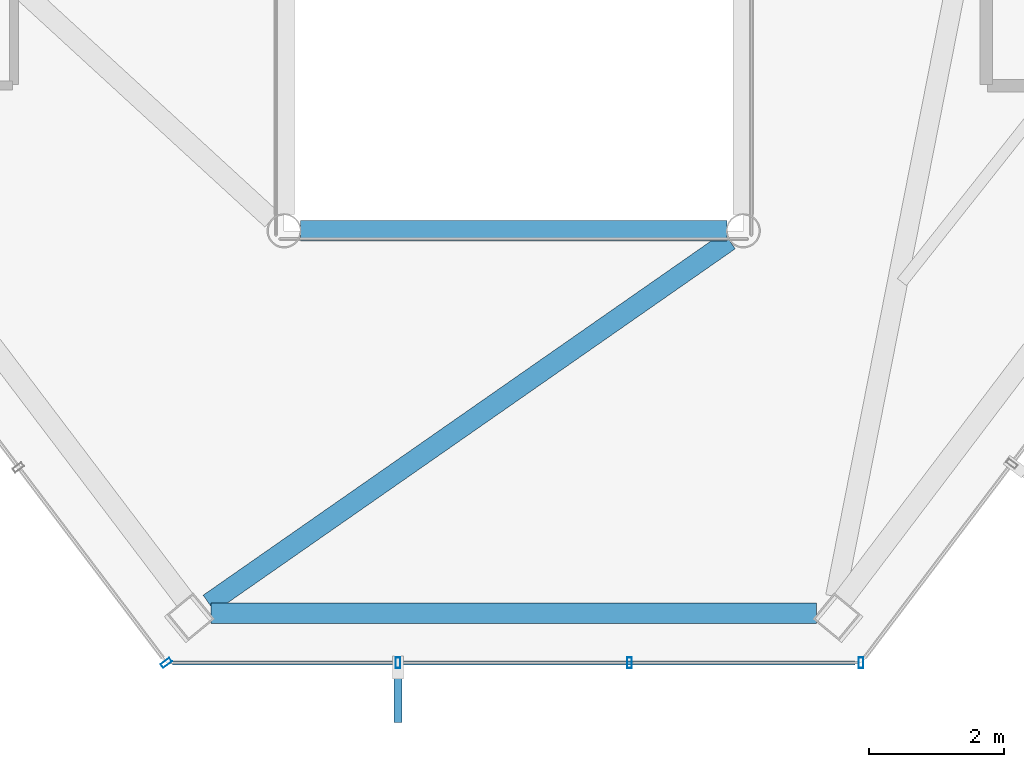
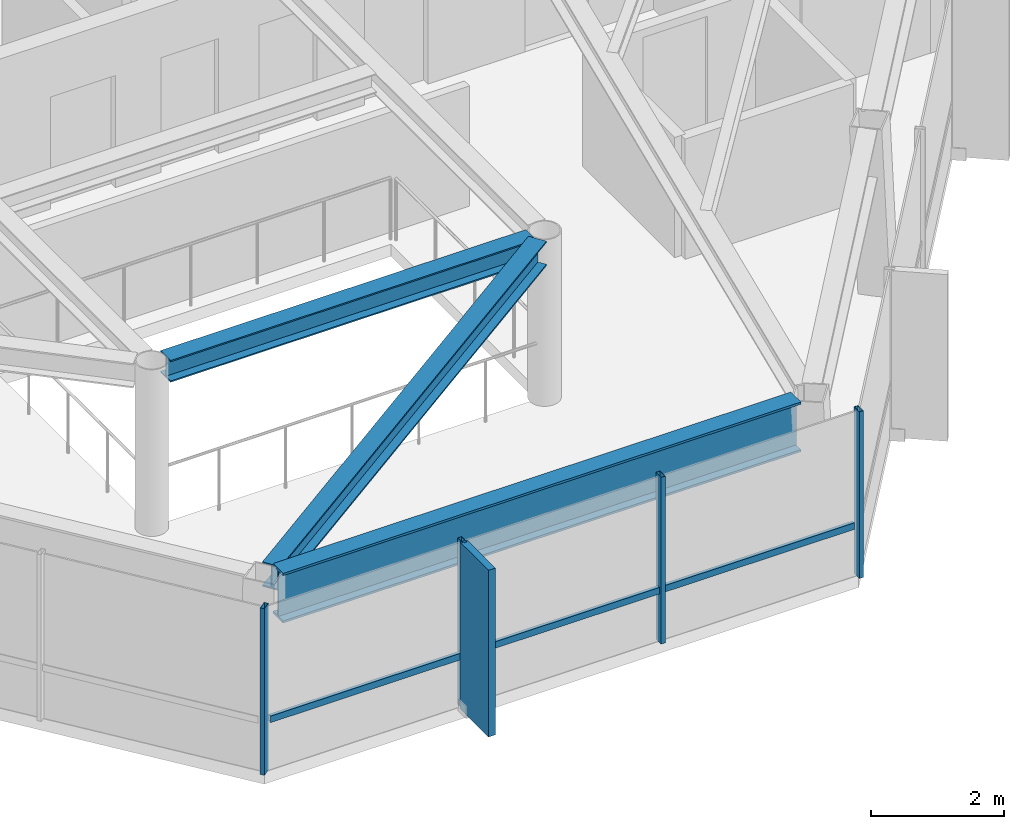
# One storey, part 5 of 24: 6 members, 3 beams, 2 elements without a shape of their own.
"""IFC4 building model written with IfcOpenShell, lengths in metres."""

from ifc_helpers import new_model, si_unit, direction, frame, origin, origin_2d, place, context, subcontext, project, spatial, rectangle, hollow_rectangle, i_section, extrude, material, layer, layer_set, material_profile, profile_set, type_object, element, aggregate, save


model = new_model("IFC4")

# Units and contexts
model_context = context("Model", 3, precision=1e-05, world=origin(), true_north=direction((0.0, 1.0)))
body_context = subcontext(model_context, "Body", "Model", "MODEL_VIEW")
ifc_project = project(units=[si_unit("LENGTHUNIT", "METRE"), si_unit("AREAUNIT", "SQUARE_METRE"), si_unit("VOLUMEUNIT", "CUBIC_METRE"), si_unit("PLANEANGLEUNIT", "RADIAN"), si_unit("MASSUNIT", "GRAM", prefix="KILO")], contexts=[model_context])

# Site, building, storey
site_placement = place(None, origin())
site = spatial("IfcSite", under=ifc_project, at=site_placement, CompositionType="ELEMENT")
building_placement = place(site_placement, origin())
building = spatial("IfcBuilding", under=site, at=building_placement, Name="Zarrinselat Tower", CompositionType="ELEMENT")
storey_placement = place(building_placement, frame((0.0, 0.0, 249.56005859375)))
storey = spatial("IfcBuildingStorey", under=building, at=storey_placement, Name="L63", CompositionType="ELEMENT", Elevation=249.56005859375)

# Beams
ifc_material_1 = material(Name="Steel S355J2", Category="steel")
ifc_material_profile_1 = material_profile(ifc_material_1, i_section(OverallWidth=0.300048828125, OverallDepth=0.39990234375, WebThickness=0.013427734375, FlangeThickness=0.02392578125, at=origin_2d()), Name="HEB 400")
ifc_profile_set_1 = profile_set([ifc_material_profile_1], Name="Steel S355J2")
beam_type_1 = type_object("IfcBeamType", Name="BM-HEB400", PredefinedType="BEAM", material=ifc_profile_set_1)
beam_1_placement = place(storey_placement, frame((35.239990234375, 25.199951171875, 2.849853515625), z_axis=(1.0, 0.0, 0.0), x_axis=(0.0, 1.0, 0.0)))
element("IfcBeam", 1, at=beam_1_placement, inside=storey, type_object=beam_type_1, Name="L63 Atrium Edge Beam S", PredefinedType="BEAM", context=body_context, shape_type="SweptSolid", body=[
    extrude(i_section(OverallWidth=0.300048828125, OverallDepth=0.39990234375, WebThickness=0.013427734375, FlangeThickness=0.02392578125, at=origin_2d()), origin(), (0.0, 0.0, 1.0), 6.320068359375),
])
ifc_material_2 = material(Name="Steel S355J2", Category="steel")
ifc_material_profile_2 = material_profile(ifc_material_2, i_section(OverallWidth=0.300048828125, OverallDepth=0.449951171875, WebThickness=0.013916015625, FlangeThickness=0.02587890625, at=origin_2d()), Name="HEB 450")
ifc_profile_set_2 = profile_set([ifc_material_profile_2], Name="Steel S355J2")
beam_type_2 = type_object("IfcBeamType", Name="BM-HEB450", PredefinedType="BEAM", material=ifc_profile_set_2)
beam_2_placement = place(storey_placement, frame((33.88623046875, 19.680419921875, 2.824951171875), z_axis=(0.820213124396, 0.572058065731, 0.0), x_axis=(-0.572058065731, 0.820213124396, 0.0)))
element("IfcBeam", 2, at=beam_2_placement, inside=storey, type_object=beam_type_2, Name="L63 Radial Primary Girder RG10", PredefinedType="BEAM", context=body_context, shape_type="SweptSolid", body=[
    extrude(i_section(OverallWidth=0.300048828125, OverallDepth=0.449951171875, WebThickness=0.013916015625, FlangeThickness=0.02587890625, at=origin_2d()), origin(), (0.0, 0.0, 1.0), 9.3984375),
])
ifc_material_3 = material(Name="Steel S460M", Category="steel")
ifc_material_profile_3 = material_profile(ifc_material_3, i_section(OverallWidth=0.302001953125, OverallDepth=0.909912109375, WebThickness=0.02099609375, FlangeThickness=0.0400390625, at=origin_2d()), Name="HEM 900")
ifc_profile_set_3 = profile_set([ifc_material_profile_3], Name="Steel S460M")
beam_type_3 = type_object("IfcBeamType", Name="BM-HEM900", PredefinedType="BEAM", material=ifc_profile_set_3)
beam_3_placement = place(storey_placement, frame((33.91748046875, 19.5361328125, 2.594970703125), z_axis=(1.0, 0.0, 0.0), x_axis=(0.0, 1.0, 0.0)))
element("IfcBeam", 3, at=beam_3_placement, inside=storey, type_object=beam_type_3, Name="L63 Perimeter Spandrel Girder SP10", PredefinedType="BEAM", context=body_context, shape_type="SweptSolid", body=[
    extrude(i_section(OverallWidth=0.302001953125, OverallDepth=0.909912109375, WebThickness=0.02099609375, FlangeThickness=0.0400390625, at=origin_2d()), origin(), (0.0, 0.0, 1.0), 8.96484375),
])

# Curtain wall, member
ifc_material_4 = material(Name="Extruded Aluminium Alloy EN AW-6063 T6", Category="aluminium")
ifc_layer = layer(ifc_material_4, 0.169921875)
ifc_layer_set = layer_set([ifc_layer], Name="Extruded Aluminium Alloy EN AW-6063 T6")
curtain_wall_type = type_object("IfcCurtainWallType", Name="CWS-RES", PredefinedType="NOTDEFINED", material=ifc_layer_set)
curtain_wall_1_placement = place(storey_placement, origin())
curtain_wall_1 = element("IfcCurtainWall", 4, at=curtain_wall_1_placement, inside=storey, type_object=curtain_wall_type, Name="L63 Unitised Curtain Wall CW-L63-E03", PredefinedType="NOTDEFINED")
ifc_material_5 = material(Name="Extruded Aluminium Alloy EN AW-6063 T6", Category="aluminium")
ifc_material_profile_4 = material_profile(ifc_material_5, hollow_rectangle(XDim=0.070068359375, YDim=0.159912109375, WallThickness=0.00390625, at=origin_2d()), Name="RHS 160x70x4")
ifc_profile_set_4 = profile_set([ifc_material_profile_4], Name="Extruded Aluminium Alloy EN AW-6063 T6")
member_type_1 = type_object("IfcMemberType", Name="MEM-CW-MUL2", PredefinedType="MULLION", material=ifc_profile_set_4)
member_1_placement = place(storey_placement, frame((33.2548828125, 18.802490234375, 0.0), z_axis=(0.0, 0.0, 1.0), x_axis=(0.603857290282, -0.797092449452, 0.0)))
member_1 = element("IfcMember", 5, at=member_1_placement, type_object=member_type_1, Name="CW-L63-E03 Mullion 9", PredefinedType="MULLION", context=body_context, shape_type="SweptSolid", body=[
    extrude(hollow_rectangle(XDim=0.070068359375, YDim=0.159912109375, WallThickness=0.00390625, at=origin_2d()), origin(), (0.0, 0.0, 1.0), 3.050048828125),
])
aggregate(curtain_wall_1, [member_1])

# Curtain wall, members
curtain_wall_2_placement = place(storey_placement, origin())
curtain_wall_2 = element("IfcCurtainWall", 6, at=curtain_wall_2_placement, inside=storey, type_object=curtain_wall_type, Name="L63 Unitised Curtain Wall CW-L63-E04", PredefinedType="NOTDEFINED")
member_2_placement = place(storey_placement, frame((36.68505859375, 18.802490234375, 0.0), z_axis=(0.0, 0.0, 1.0), x_axis=(1.0, 0.0, 0.0)))
member_2 = element("IfcMember", 7, at=member_2_placement, type_object=member_type_1, Name="CW-L63-E04 Mullion 1", PredefinedType="MULLION", context=body_context, shape_type="SweptSolid", body=[
    extrude(hollow_rectangle(XDim=0.070068359375, YDim=0.159912109375, WallThickness=0.00390625, at=origin_2d()), origin(), (0.0, 0.0, 1.0), 3.050048828125),
])
member_3_placement = place(storey_placement, frame((40.114990234375, 18.802490234375, 0.0), z_axis=(0.0, 0.0, 1.0), x_axis=(1.0, 0.0, 0.0)))
member_3 = element("IfcMember", 8, at=member_3_placement, type_object=member_type_1, Name="CW-L63-E04 Mullion 2", PredefinedType="MULLION", context=body_context, shape_type="SweptSolid", body=[
    extrude(hollow_rectangle(XDim=0.070068359375, YDim=0.159912109375, WallThickness=0.00390625, at=origin_2d()), origin(), (0.0, 0.0, 1.0), 3.050048828125),
])
member_4_placement = place(storey_placement, frame((43.544921875, 18.802490234375, 0.0), z_axis=(0.0, 0.0, 1.0), x_axis=(1.0, 0.0, 0.0)))
member_4 = element("IfcMember", 9, at=member_4_placement, type_object=member_type_1, Name="CW-L63-E04 Mullion 3", PredefinedType="MULLION", context=body_context, shape_type="SweptSolid", body=[
    extrude(hollow_rectangle(XDim=0.070068359375, YDim=0.159912109375, WallThickness=0.00390625, at=origin_2d()), origin(), (0.0, 0.0, 1.0), 3.050048828125),
])
ifc_material_6 = material(Name="Extruded Aluminium Alloy EN AW-6063 T6", Category="aluminium")
ifc_material_profile_5 = material_profile(ifc_material_6, hollow_rectangle(XDim=0.06005859375, YDim=0.1201171875, WallThickness=0.00390625, at=origin_2d()), Name="RHS 120x60x4")
ifc_profile_set_5 = profile_set([ifc_material_profile_5], Name="Extruded Aluminium Alloy EN AW-6063 T6")
member_type_2 = type_object("IfcMemberType", Name="MEM-CW-TRN2", PredefinedType="USERDEFINED", material=ifc_profile_set_5)
member_5_placement = place(storey_placement, frame((33.344970703125, 18.802490234375, 0.949951171875), z_axis=(1.0, 0.0, 0.0), x_axis=(0.0, 1.0, 0.0)))
member_5 = element("IfcMember", 10, at=member_5_placement, type_object=member_type_2, Name="CW-L63-E04 Transom 1", ObjectType="TRANSOM", PredefinedType="USERDEFINED", context=body_context, shape_type="SweptSolid", body=[
    extrude(hollow_rectangle(XDim=0.06005859375, YDim=0.1201171875, WallThickness=0.00390625, at=origin_2d()), origin(), (0.0, 0.0, 1.0), 10.110107421875),
])
ifc_material_7 = material(Name="Honed Cream Travertine Stone", Category="masonry")
ifc_material_profile_6 = material_profile(ifc_material_7, rectangle(XDim=0.1201171875, YDim=0.85009765625, at=origin_2d()), Name="FIN 850x120")
ifc_profile_set_6 = profile_set([ifc_material_profile_6], Name="Honed Cream Travertine Stone")
member_type_3 = type_object("IfcMemberType", Name="MEM-STONE-FIN", PredefinedType="USERDEFINED", material=ifc_profile_set_6)
member_6_placement = place(storey_placement, frame((36.68505859375, 18.342529296875, 0.0), z_axis=(0.0, 0.0, 1.0), x_axis=(-1.0, 0.0, 0.0)))
member_6 = element("IfcMember", 11, at=member_6_placement, type_object=member_type_3, Name="L63 Stone Shading Fin CW-L63-E04-01", ObjectType="FIN", PredefinedType="USERDEFINED", context=body_context, shape_type="SweptSolid", body=[
    extrude(rectangle(XDim=0.1201171875, YDim=0.85009765625, at=origin_2d()), origin(), (0.0, 0.0, 1.0), 3.050048828125),
])
aggregate(curtain_wall_2, [member_2, member_6, member_3, member_4, member_5])

save(model, "model.ifc")
